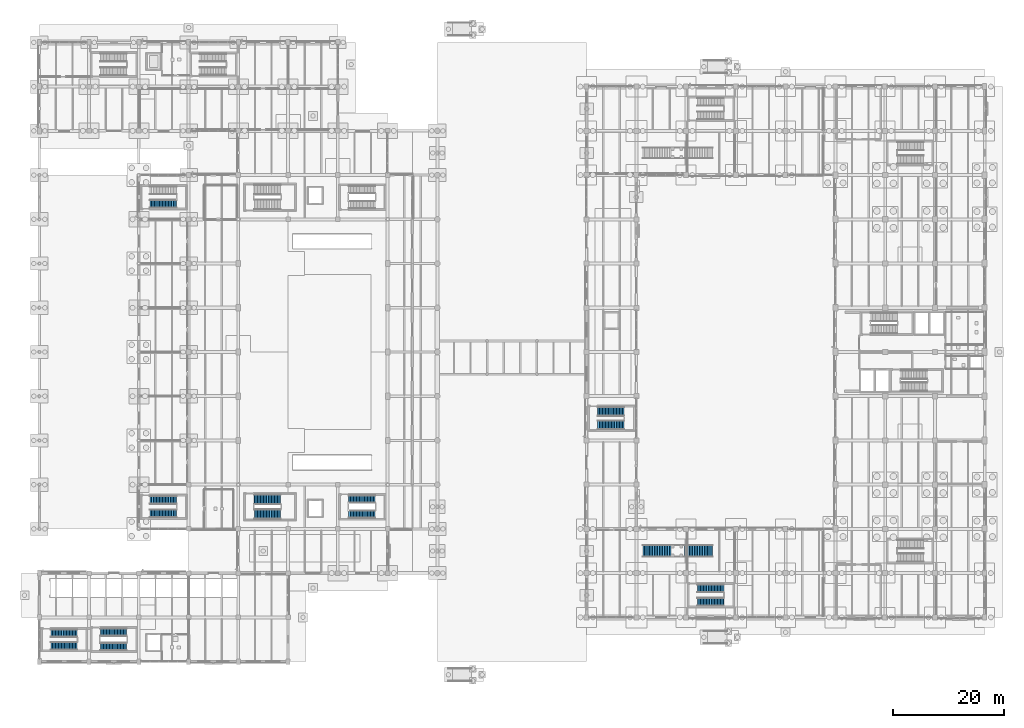
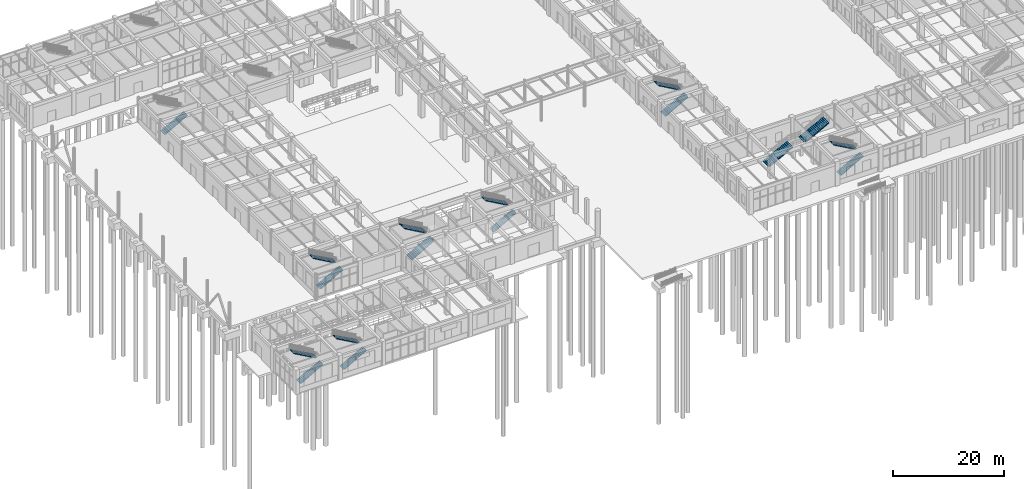
# One storey, part 101 of 121: 17 stair flights, 9 elements without a shape of their own.
"""IFC4 building model written with IfcOpenShell, lengths in metres."""

from ifc_helpers import new_model, si_unit, derived_unit, direction, frame, origin, place, context, subcontext, project, spatial, polyline, outline, extrude, material, type_object, element, aggregate, save


model = new_model("IFC4")

# Units and contexts
model_context = context("Model", 3, precision=1e-05, world=origin(), true_north=direction((0.0, 1.0)))
body_context = subcontext(model_context, "Body", "Model", "MODEL_VIEW")
ifc_project = project(units=[si_unit("LENGTHUNIT", "METRE"), si_unit("AREAUNIT", "SQUARE_METRE"), si_unit("VOLUMEUNIT", "CUBIC_METRE"), si_unit("PLANEANGLEUNIT", "RADIAN"), si_unit("MASSUNIT", "GRAM", prefix="KILO"), derived_unit("THERMALTRANSMITTANCEUNIT", [(si_unit("MASSUNIT", "GRAM", prefix="KILO"), 1), (si_unit("TIMEUNIT", "SECOND"), -3), (si_unit("THERMODYNAMICTEMPERATUREUNIT", "KELVIN"), -1)])], contexts=[model_context])

# Site, building, storey
site_placement = place(None, origin())
site = spatial("IfcSite", under=ifc_project, at=site_placement, CompositionType="ELEMENT")
building_placement = place(site_placement, origin())
building = spatial("IfcBuilding", under=site, at=building_placement, Name="Zhenchuan Archway Interchange", CompositionType="ELEMENT")
storey_placement = place(building_placement, origin())
storey = spatial("IfcBuildingStorey", under=building, at=storey_placement, Name="L00", CompositionType="ELEMENT", Elevation=0.0)

# Stair, stair flights
ifc_material = material(Name="Concrete C35", Category="concrete")
stair_type_1 = type_object("IfcStairType", Name="STR_HALF_1400", PredefinedType="HALF_TURN_STAIR", material=ifc_material)
stair_1_placement = place(storey_placement, origin())
stair_1 = element("IfcStair", 1, at=stair_1_placement, inside=storey, type_object=stair_type_1, Name="Stair ST-M3 (L00)", PredefinedType="HALF_TURN_STAIR")
stair_flight_type_1 = type_object("IfcStairFlightType", Name="SFL_1400", PredefinedType="STRAIGHT", material=ifc_material)
stair_flight_1_placement = place(storey_placement, frame((55.96435546875, 26.614990234375, 0.0), z_axis=(0.0, 0.0, 1.0), x_axis=(1.0, 0.0, 0.0)))
stair_flight_1 = element("IfcStairFlight", 2, at=stair_flight_1_placement, type_object=stair_flight_type_1, Name="Stair ST-M3 lower flight (L00)", NumberOfRisers=18, NumberOfTreads=17, PredefinedType="STRAIGHT", RiserHeight=0.15, TreadLength=0.28, context=body_context, shape_type="SweptSolid", body=[
    extrude(outline(polyline([(0.0, 0.0), (0.0, 0.14990234375), (0.280029296875, 0.14990234375), (0.280029296875, 0.300048828125), (0.56005859375, 0.300048828125), (0.56005859375, 0.449951171875), (0.840087890625, 0.449951171875), (0.840087890625, 0.60009765625), (1.1201171875, 0.60009765625), (1.1201171875, 0.75), (1.39990234375, 0.75), (1.39990234375, 0.89990234375), (1.679931640625, 0.89990234375), (1.679931640625, 1.050048828125), (1.9599609375, 1.050048828125), (1.9599609375, 1.199951171875), (2.239990234375, 1.199951171875), (2.239990234375, 1.35009765625), (2.52001953125, 1.35009765625), (2.52001953125, 1.5), (2.800048828125, 1.5), (2.800048828125, 1.64990234375), (3.080078125, 1.64990234375), (3.080078125, 1.800048828125), (3.360107421875, 1.800048828125), (3.360107421875, 1.949951171875), (3.639892578125, 1.949951171875), (3.639892578125, 2.10009765625), (3.919921875, 2.10009765625), (3.919921875, 2.25), (4.199951171875, 2.25), (4.199951171875, 2.39990234375), (4.47998046875, 2.39990234375), (4.47998046875, 2.550048828125), (4.760009765625, 2.550048828125), (4.760009765625, 2.699951171875), (4.78125, 2.699951171875), (4.78125, 2.495849609375), (0.381103515625, 0.0), (0.0, 0.0)])), frame((0.0, 0.699951171875, 0.0), z_axis=(0.0, -1.0, 0.0), x_axis=(1.0, 0.0, 0.0)), (0.0, 0.0, 1.0), 1.39990234375),
])
stair_flight_2_placement = place(storey_placement, frame((60.74560546875, 29.385009765625, 2.699951171875), z_axis=(0.0, 0.0, 1.0), x_axis=(-1.0, 0.0, 0.0)))
stair_flight_2 = element("IfcStairFlight", 3, at=stair_flight_2_placement, type_object=stair_flight_type_1, Name="Stair ST-M3 upper flight (L00)", NumberOfRisers=18, NumberOfTreads=17, PredefinedType="STRAIGHT", RiserHeight=0.15, TreadLength=0.28, context=body_context, shape_type="SweptSolid", body=[
    extrude(outline(polyline([(0.0, 0.0), (0.0, 0.14990234375), (0.280029296875, 0.14990234375), (0.280029296875, 0.300048828125), (0.56005859375, 0.300048828125), (0.56005859375, 0.449951171875), (0.840087890625, 0.449951171875), (0.840087890625, 0.60009765625), (1.1201171875, 0.60009765625), (1.1201171875, 0.75), (1.39990234375, 0.75), (1.39990234375, 0.89990234375), (1.679931640625, 0.89990234375), (1.679931640625, 1.050048828125), (1.9599609375, 1.050048828125), (1.9599609375, 1.199951171875), (2.239990234375, 1.199951171875), (2.239990234375, 1.35009765625), (2.52001953125, 1.35009765625), (2.52001953125, 1.5), (2.800048828125, 1.5), (2.800048828125, 1.64990234375), (3.080078125, 1.64990234375), (3.080078125, 1.800048828125), (3.360107421875, 1.800048828125), (3.360107421875, 1.949951171875), (3.639892578125, 1.949951171875), (3.639892578125, 2.10009765625), (3.919921875, 2.10009765625), (3.919921875, 2.25), (4.199951171875, 2.25), (4.199951171875, 2.39990234375), (4.47998046875, 2.39990234375), (4.47998046875, 2.550048828125), (4.760009765625, 2.550048828125), (4.760009765625, 2.699951171875), (4.78125, 2.699951171875), (4.78125, 2.495849609375), (0.381103515625, 0.0), (0.0, 0.0)])), frame((0.0, 0.699951171875, 0.0), z_axis=(0.0, -1.0, 0.0), x_axis=(1.0, 0.0, 0.0)), (0.0, 0.0, 1.0), 1.39990234375),
])
aggregate(stair_1, [stair_flight_1, stair_flight_2])

stair_2_placement = place(storey_placement, origin())
stair_2 = element("IfcStair", 4, at=stair_2_placement, inside=storey, type_object=stair_type_1, Name="Stair ST-C1 (L00)", PredefinedType="HALF_TURN_STAIR")
stair_flight_3_placement = place(storey_placement, frame((11.0244140625, 2.715087890625, 0.0), z_axis=(0.0, 0.0, 1.0), x_axis=(1.0, 0.0, 0.0)))
stair_flight_3 = element("IfcStairFlight", 5, at=stair_flight_3_placement, type_object=stair_flight_type_1, Name="Stair ST-C1 lower flight (L00)", NumberOfRisers=18, NumberOfTreads=17, PredefinedType="STRAIGHT", RiserHeight=0.15, TreadLength=0.28, context=body_context, shape_type="SweptSolid", body=[
    extrude(outline(polyline([(0.0, 0.0), (0.0, 0.14990234375), (0.280029296875, 0.14990234375), (0.280029296875, 0.300048828125), (0.56005859375, 0.300048828125), (0.56005859375, 0.449951171875), (0.840087890625, 0.449951171875), (0.840087890625, 0.60009765625), (1.1201171875, 0.60009765625), (1.1201171875, 0.75), (1.39990234375, 0.75), (1.39990234375, 0.89990234375), (1.679931640625, 0.89990234375), (1.679931640625, 1.050048828125), (1.9599609375, 1.050048828125), (1.9599609375, 1.199951171875), (2.239990234375, 1.199951171875), (2.239990234375, 1.35009765625), (2.52001953125, 1.35009765625), (2.52001953125, 1.5), (2.800048828125, 1.5), (2.800048828125, 1.64990234375), (3.080078125, 1.64990234375), (3.080078125, 1.800048828125), (3.360107421875, 1.800048828125), (3.360107421875, 1.949951171875), (3.639892578125, 1.949951171875), (3.639892578125, 2.10009765625), (3.919921875, 2.10009765625), (3.919921875, 2.25), (4.199951171875, 2.25), (4.199951171875, 2.39990234375), (4.47998046875, 2.39990234375), (4.47998046875, 2.550048828125), (4.760009765625, 2.550048828125), (4.760009765625, 2.699951171875), (4.78125, 2.699951171875), (4.78125, 2.495849609375), (0.381103515625, 0.0), (0.0, 0.0)])), frame((0.0, 0.699951171875, 0.0), z_axis=(0.0, -1.0, 0.0), x_axis=(1.0, 0.0, 0.0)), (0.0, 0.0, 1.0), 1.39990234375),
])
stair_flight_4_placement = place(storey_placement, frame((15.8056640625, 5.284912109375, 2.699951171875), z_axis=(0.0, 0.0, 1.0), x_axis=(-1.0, 0.0, 0.0)))
stair_flight_4 = element("IfcStairFlight", 6, at=stair_flight_4_placement, type_object=stair_flight_type_1, Name="Stair ST-C1 upper flight (L00)", NumberOfRisers=18, NumberOfTreads=17, PredefinedType="STRAIGHT", RiserHeight=0.15, TreadLength=0.28, context=body_context, shape_type="SweptSolid", body=[
    extrude(outline(polyline([(0.0, 0.0), (0.0, 0.14990234375), (0.280029296875, 0.14990234375), (0.280029296875, 0.300048828125), (0.56005859375, 0.300048828125), (0.56005859375, 0.449951171875), (0.840087890625, 0.449951171875), (0.840087890625, 0.60009765625), (1.1201171875, 0.60009765625), (1.1201171875, 0.75), (1.39990234375, 0.75), (1.39990234375, 0.89990234375), (1.679931640625, 0.89990234375), (1.679931640625, 1.050048828125), (1.9599609375, 1.050048828125), (1.9599609375, 1.199951171875), (2.239990234375, 1.199951171875), (2.239990234375, 1.35009765625), (2.52001953125, 1.35009765625), (2.52001953125, 1.5), (2.800048828125, 1.5), (2.800048828125, 1.64990234375), (3.080078125, 1.64990234375), (3.080078125, 1.800048828125), (3.360107421875, 1.800048828125), (3.360107421875, 1.949951171875), (3.639892578125, 1.949951171875), (3.639892578125, 2.10009765625), (3.919921875, 2.10009765625), (3.919921875, 2.25), (4.199951171875, 2.25), (4.199951171875, 2.39990234375), (4.47998046875, 2.39990234375), (4.47998046875, 2.550048828125), (4.760009765625, 2.550048828125), (4.760009765625, 2.699951171875), (4.78125, 2.699951171875), (4.78125, 2.495849609375), (0.381103515625, 0.0), (0.0, 0.0)])), frame((0.0, 0.699951171875, 0.0), z_axis=(0.0, -1.0, 0.0), x_axis=(1.0, 0.0, 0.0)), (0.0, 0.0, 1.0), 1.39990234375),
])
aggregate(stair_2, [stair_flight_3, stair_flight_4])

stair_3_placement = place(storey_placement, origin())
stair_3 = element("IfcStair", 7, at=stair_3_placement, inside=storey, type_object=stair_type_1, Name="Stair ST-C2 (L00)", PredefinedType="HALF_TURN_STAIR")
stair_flight_5_placement = place(storey_placement, frame((2.064453125, 2.81494140625, 0.0), z_axis=(0.0, 0.0, 1.0), x_axis=(1.0, 0.0, 0.0)))
stair_flight_5 = element("IfcStairFlight", 8, at=stair_flight_5_placement, type_object=stair_flight_type_1, Name="Stair ST-C2 lower flight (L00)", NumberOfRisers=18, NumberOfTreads=17, PredefinedType="STRAIGHT", RiserHeight=0.15, TreadLength=0.28, context=body_context, shape_type="SweptSolid", body=[
    extrude(outline(polyline([(0.0, 0.0), (0.0, 0.14990234375), (0.280029296875, 0.14990234375), (0.280029296875, 0.300048828125), (0.56005859375, 0.300048828125), (0.56005859375, 0.449951171875), (0.840087890625, 0.449951171875), (0.840087890625, 0.60009765625), (1.1201171875, 0.60009765625), (1.1201171875, 0.75), (1.39990234375, 0.75), (1.39990234375, 0.89990234375), (1.679931640625, 0.89990234375), (1.679931640625, 1.050048828125), (1.9599609375, 1.050048828125), (1.9599609375, 1.199951171875), (2.239990234375, 1.199951171875), (2.239990234375, 1.35009765625), (2.52001953125, 1.35009765625), (2.52001953125, 1.5), (2.800048828125, 1.5), (2.800048828125, 1.64990234375), (3.080078125, 1.64990234375), (3.080078125, 1.800048828125), (3.360107421875, 1.800048828125), (3.360107421875, 1.949951171875), (3.639892578125, 1.949951171875), (3.639892578125, 2.10009765625), (3.919921875, 2.10009765625), (3.919921875, 2.25), (4.199951171875, 2.25), (4.199951171875, 2.39990234375), (4.47998046875, 2.39990234375), (4.47998046875, 2.550048828125), (4.760009765625, 2.550048828125), (4.760009765625, 2.699951171875), (4.78125, 2.699951171875), (4.78125, 2.495849609375), (0.381103515625, 0.0), (0.0, 0.0)])), frame((0.0, 0.699951171875, 0.0), z_axis=(0.0, -1.0, 0.0), x_axis=(1.0, 0.0, 0.0)), (0.0, 0.0, 1.0), 1.39990234375),
])
stair_flight_6_placement = place(storey_placement, frame((6.845703125, 5.0849609375, 2.699951171875), z_axis=(0.0, 0.0, 1.0), x_axis=(-1.0, 0.0, 0.0)))
stair_flight_6 = element("IfcStairFlight", 9, at=stair_flight_6_placement, type_object=stair_flight_type_1, Name="Stair ST-C2 upper flight (L00)", NumberOfRisers=18, NumberOfTreads=17, PredefinedType="STRAIGHT", RiserHeight=0.15, TreadLength=0.28, context=body_context, shape_type="SweptSolid", body=[
    extrude(outline(polyline([(0.0, 0.0), (0.0, 0.14990234375), (0.280029296875, 0.14990234375), (0.280029296875, 0.300048828125), (0.56005859375, 0.300048828125), (0.56005859375, 0.449951171875), (0.840087890625, 0.449951171875), (0.840087890625, 0.60009765625), (1.1201171875, 0.60009765625), (1.1201171875, 0.75), (1.39990234375, 0.75), (1.39990234375, 0.89990234375), (1.679931640625, 0.89990234375), (1.679931640625, 1.050048828125), (1.9599609375, 1.050048828125), (1.9599609375, 1.199951171875), (2.239990234375, 1.199951171875), (2.239990234375, 1.35009765625), (2.52001953125, 1.35009765625), (2.52001953125, 1.5), (2.800048828125, 1.5), (2.800048828125, 1.64990234375), (3.080078125, 1.64990234375), (3.080078125, 1.800048828125), (3.360107421875, 1.800048828125), (3.360107421875, 1.949951171875), (3.639892578125, 1.949951171875), (3.639892578125, 2.10009765625), (3.919921875, 2.10009765625), (3.919921875, 2.25), (4.199951171875, 2.25), (4.199951171875, 2.39990234375), (4.47998046875, 2.39990234375), (4.47998046875, 2.550048828125), (4.760009765625, 2.550048828125), (4.760009765625, 2.699951171875), (4.78125, 2.699951171875), (4.78125, 2.495849609375), (0.381103515625, 0.0), (0.0, 0.0)])), frame((0.0, 0.699951171875, 0.0), z_axis=(0.0, -1.0, 0.0), x_axis=(1.0, 0.0, 0.0)), (0.0, 0.0, 1.0), 1.39990234375),
])
aggregate(stair_3, [stair_flight_5, stair_flight_6])

stair_type_2 = type_object("IfcStairType", Name="STR_HALF_1450", PredefinedType="HALF_TURN_STAIR", material=ifc_material)
stair_4_placement = place(storey_placement, origin())
stair_4 = element("IfcStair", 10, at=stair_4_placement, inside=storey, type_object=stair_type_2, Name="Stair ST-B1 (L00)", PredefinedType="HALF_TURN_STAIR")
stair_flight_type_2 = type_object("IfcStairFlightType", Name="SFL_1450", PredefinedType="STRAIGHT", material=ifc_material)
stair_flight_7_placement = place(storey_placement, frame((20.0244140625, 26.7900390625, 0.0), z_axis=(0.0, 0.0, 1.0), x_axis=(1.0, 0.0, 0.0)))
stair_flight_7 = element("IfcStairFlight", 11, at=stair_flight_7_placement, type_object=stair_flight_type_2, Name="Stair ST-B1 lower flight (L00)", NumberOfRisers=18, NumberOfTreads=17, PredefinedType="STRAIGHT", RiserHeight=0.15, TreadLength=0.28, context=body_context, shape_type="SweptSolid", body=[
    extrude(outline(polyline([(0.0, 0.0), (0.0, 0.14990234375), (0.280029296875, 0.14990234375), (0.280029296875, 0.300048828125), (0.56005859375, 0.300048828125), (0.56005859375, 0.449951171875), (0.840087890625, 0.449951171875), (0.840087890625, 0.60009765625), (1.1201171875, 0.60009765625), (1.1201171875, 0.75), (1.39990234375, 0.75), (1.39990234375, 0.89990234375), (1.679931640625, 0.89990234375), (1.679931640625, 1.050048828125), (1.9599609375, 1.050048828125), (1.9599609375, 1.199951171875), (2.239990234375, 1.199951171875), (2.239990234375, 1.35009765625), (2.52001953125, 1.35009765625), (2.52001953125, 1.5), (2.800048828125, 1.5), (2.800048828125, 1.64990234375), (3.080078125, 1.64990234375), (3.080078125, 1.800048828125), (3.360107421875, 1.800048828125), (3.360107421875, 1.949951171875), (3.639892578125, 1.949951171875), (3.639892578125, 2.10009765625), (3.919921875, 2.10009765625), (3.919921875, 2.25), (4.199951171875, 2.25), (4.199951171875, 2.39990234375), (4.47998046875, 2.39990234375), (4.47998046875, 2.550048828125), (4.760009765625, 2.550048828125), (4.760009765625, 2.699951171875), (4.78125, 2.699951171875), (4.78125, 2.495849609375), (0.381103515625, 0.0), (0.0, 0.0)])), frame((0.0, 0.72509765625, 0.0), z_axis=(0.0, -1.0, 0.0), x_axis=(1.0, 0.0, 0.0)), (0.0, 0.0, 1.0), 1.449951171875),
])
stair_flight_8_placement = place(storey_placement, frame((24.8056640625, 29.2099609375, 2.699951171875), z_axis=(0.0, 0.0, 1.0), x_axis=(-1.0, 0.0, 0.0)))
stair_flight_8 = element("IfcStairFlight", 12, at=stair_flight_8_placement, type_object=stair_flight_type_2, Name="Stair ST-B1 upper flight (L00)", NumberOfRisers=18, NumberOfTreads=17, PredefinedType="STRAIGHT", RiserHeight=0.15, TreadLength=0.28, context=body_context, shape_type="SweptSolid", body=[
    extrude(outline(polyline([(0.0, 0.0), (0.0, 0.14990234375), (0.280029296875, 0.14990234375), (0.280029296875, 0.300048828125), (0.56005859375, 0.300048828125), (0.56005859375, 0.449951171875), (0.840087890625, 0.449951171875), (0.840087890625, 0.60009765625), (1.1201171875, 0.60009765625), (1.1201171875, 0.75), (1.39990234375, 0.75), (1.39990234375, 0.89990234375), (1.679931640625, 0.89990234375), (1.679931640625, 1.050048828125), (1.9599609375, 1.050048828125), (1.9599609375, 1.199951171875), (2.239990234375, 1.199951171875), (2.239990234375, 1.35009765625), (2.52001953125, 1.35009765625), (2.52001953125, 1.5), (2.800048828125, 1.5), (2.800048828125, 1.64990234375), (3.080078125, 1.64990234375), (3.080078125, 1.800048828125), (3.360107421875, 1.800048828125), (3.360107421875, 1.949951171875), (3.639892578125, 1.949951171875), (3.639892578125, 2.10009765625), (3.919921875, 2.10009765625), (3.919921875, 2.25), (4.199951171875, 2.25), (4.199951171875, 2.39990234375), (4.47998046875, 2.39990234375), (4.47998046875, 2.550048828125), (4.760009765625, 2.550048828125), (4.760009765625, 2.699951171875), (4.78125, 2.699951171875), (4.78125, 2.495849609375), (0.381103515625, 0.0), (0.0, 0.0)])), frame((0.0, 0.72509765625, 0.0), z_axis=(0.0, -1.0, 0.0), x_axis=(1.0, 0.0, 0.0)), (0.0, 0.0, 1.0), 1.449951171875),
])
aggregate(stair_4, [stair_flight_7, stair_flight_8])

# Stair, stair flight
stair_5_placement = place(storey_placement, origin())
stair_5 = element("IfcStair", 13, at=stair_5_placement, inside=storey, type_object=stair_type_2, Name="Stair ST-B2 (L00)", PredefinedType="HALF_TURN_STAIR")
stair_flight_9_placement = place(storey_placement, frame((20.0244140625, 82.7900390625, 0.0), z_axis=(0.0, 0.0, 1.0), x_axis=(1.0, 0.0, 0.0)))
stair_flight_9 = element("IfcStairFlight", 14, at=stair_flight_9_placement, type_object=stair_flight_type_2, Name="Stair ST-B2 lower flight (L00)", NumberOfRisers=18, NumberOfTreads=17, PredefinedType="STRAIGHT", RiserHeight=0.15, TreadLength=0.28, context=body_context, shape_type="SweptSolid", body=[
    extrude(outline(polyline([(0.0, 0.0), (0.0, 0.14990234375), (0.280029296875, 0.14990234375), (0.280029296875, 0.300048828125), (0.56005859375, 0.300048828125), (0.56005859375, 0.449951171875), (0.840087890625, 0.449951171875), (0.840087890625, 0.60009765625), (1.1201171875, 0.60009765625), (1.1201171875, 0.75), (1.39990234375, 0.75), (1.39990234375, 0.89990234375), (1.679931640625, 0.89990234375), (1.679931640625, 1.050048828125), (1.9599609375, 1.050048828125), (1.9599609375, 1.199951171875), (2.239990234375, 1.199951171875), (2.239990234375, 1.35009765625), (2.52001953125, 1.35009765625), (2.52001953125, 1.5), (2.800048828125, 1.5), (2.800048828125, 1.64990234375), (3.080078125, 1.64990234375), (3.080078125, 1.800048828125), (3.360107421875, 1.800048828125), (3.360107421875, 1.949951171875), (3.639892578125, 1.949951171875), (3.639892578125, 2.10009765625), (3.919921875, 2.10009765625), (3.919921875, 2.25), (4.199951171875, 2.25), (4.199951171875, 2.39990234375), (4.47998046875, 2.39990234375), (4.47998046875, 2.550048828125), (4.760009765625, 2.550048828125), (4.760009765625, 2.699951171875), (4.78125, 2.699951171875), (4.78125, 2.495849609375), (0.381103515625, 0.0), (0.0, 0.0)])), frame((0.0, 0.72509765625, 0.0), z_axis=(0.0, -1.0, 0.0), x_axis=(1.0, 0.0, 0.0)), (0.0, 0.0, 1.0), 1.449951171875),
])
aggregate(stair_5, [stair_flight_9])

# Stair, stair flights
stair_6_placement = place(storey_placement, origin())
stair_6 = element("IfcStair", 15, at=stair_6_placement, inside=storey, type_object=stair_type_2, Name="Stair ST-O5 (L00)", PredefinedType="HALF_TURN_STAIR")
stair_flight_10_placement = place(storey_placement, frame((119.0244140625, 10.7900390625, 0.0), z_axis=(0.0, 0.0, 1.0), x_axis=(1.0, 0.0, 0.0)))
stair_flight_10 = element("IfcStairFlight", 16, at=stair_flight_10_placement, type_object=stair_flight_type_2, Name="Stair ST-O5 lower flight (L00)", NumberOfRisers=18, NumberOfTreads=17, PredefinedType="STRAIGHT", RiserHeight=0.15, TreadLength=0.28, context=body_context, shape_type="SweptSolid", body=[
    extrude(outline(polyline([(0.0, 0.0), (0.0, 0.14990234375), (0.280029296875, 0.14990234375), (0.280029296875, 0.300048828125), (0.56005859375, 0.300048828125), (0.56005859375, 0.449951171875), (0.840087890625, 0.449951171875), (0.840087890625, 0.60009765625), (1.1201171875, 0.60009765625), (1.1201171875, 0.75), (1.39990234375, 0.75), (1.39990234375, 0.89990234375), (1.679931640625, 0.89990234375), (1.679931640625, 1.050048828125), (1.9599609375, 1.050048828125), (1.9599609375, 1.199951171875), (2.239990234375, 1.199951171875), (2.239990234375, 1.35009765625), (2.52001953125, 1.35009765625), (2.52001953125, 1.5), (2.800048828125, 1.5), (2.800048828125, 1.64990234375), (3.080078125, 1.64990234375), (3.080078125, 1.800048828125), (3.360107421875, 1.800048828125), (3.360107421875, 1.949951171875), (3.639892578125, 1.949951171875), (3.639892578125, 2.10009765625), (3.919921875, 2.10009765625), (3.919921875, 2.25), (4.199951171875, 2.25), (4.199951171875, 2.39990234375), (4.47998046875, 2.39990234375), (4.47998046875, 2.550048828125), (4.760009765625, 2.550048828125), (4.760009765625, 2.699951171875), (4.78125, 2.699951171875), (4.78125, 2.495849609375), (0.381103515625, 0.0), (0.0, 0.0)])), frame((0.0, 0.72509765625, 0.0), z_axis=(0.0, -1.0, 0.0), x_axis=(1.0, 0.0, 0.0)), (0.0, 0.0, 1.0), 1.449951171875),
])
stair_flight_11_placement = place(storey_placement, frame((123.8056640625, 13.2099609375, 2.699951171875), z_axis=(0.0, 0.0, 1.0), x_axis=(-1.0, 0.0, 0.0)))
stair_flight_11 = element("IfcStairFlight", 17, at=stair_flight_11_placement, type_object=stair_flight_type_2, Name="Stair ST-O5 upper flight (L00)", NumberOfRisers=18, NumberOfTreads=17, PredefinedType="STRAIGHT", RiserHeight=0.15, TreadLength=0.28, context=body_context, shape_type="SweptSolid", body=[
    extrude(outline(polyline([(0.0, 0.0), (0.0, 0.14990234375), (0.280029296875, 0.14990234375), (0.280029296875, 0.300048828125), (0.56005859375, 0.300048828125), (0.56005859375, 0.449951171875), (0.840087890625, 0.449951171875), (0.840087890625, 0.60009765625), (1.1201171875, 0.60009765625), (1.1201171875, 0.75), (1.39990234375, 0.75), (1.39990234375, 0.89990234375), (1.679931640625, 0.89990234375), (1.679931640625, 1.050048828125), (1.9599609375, 1.050048828125), (1.9599609375, 1.199951171875), (2.239990234375, 1.199951171875), (2.239990234375, 1.35009765625), (2.52001953125, 1.35009765625), (2.52001953125, 1.5), (2.800048828125, 1.5), (2.800048828125, 1.64990234375), (3.080078125, 1.64990234375), (3.080078125, 1.800048828125), (3.360107421875, 1.800048828125), (3.360107421875, 1.949951171875), (3.639892578125, 1.949951171875), (3.639892578125, 2.10009765625), (3.919921875, 2.10009765625), (3.919921875, 2.25), (4.199951171875, 2.25), (4.199951171875, 2.39990234375), (4.47998046875, 2.39990234375), (4.47998046875, 2.550048828125), (4.760009765625, 2.550048828125), (4.760009765625, 2.699951171875), (4.78125, 2.699951171875), (4.78125, 2.495849609375), (0.381103515625, 0.0), (0.0, 0.0)])), frame((0.0, 0.72509765625, 0.0), z_axis=(0.0, -1.0, 0.0), x_axis=(1.0, 0.0, 0.0)), (0.0, 0.0, 1.0), 1.449951171875),
])
aggregate(stair_6, [stair_flight_10, stair_flight_11])

stair_type_3 = type_object("IfcStairType", Name="STR_HALF_1650", PredefinedType="HALF_TURN_STAIR", material=ifc_material)
stair_7_placement = place(storey_placement, origin())
stair_7 = element("IfcStair", 18, at=stair_7_placement, inside=storey, type_object=stair_type_3, Name="Stair ST-BR (L00)", PredefinedType="HALF_TURN_STAIR")
stair_flight_type_3 = type_object("IfcStairFlightType", Name="SFL_1650", PredefinedType="STRAIGHT", material=ifc_material)
stair_flight_12_placement = place(storey_placement, frame((101.00439453125, 42.7900390625, 0.0), z_axis=(0.0, 0.0, 1.0), x_axis=(1.0, 0.0, 0.0)))
stair_flight_12 = element("IfcStairFlight", 19, at=stair_flight_12_placement, type_object=stair_flight_type_3, Name="Stair ST-BR lower flight (L00)", NumberOfRisers=18, NumberOfTreads=17, PredefinedType="STRAIGHT", RiserHeight=0.15, TreadLength=0.28, context=body_context, shape_type="SweptSolid", body=[
    extrude(outline(polyline([(0.0, 0.0), (0.0, 0.14990234375), (0.280029296875, 0.14990234375), (0.280029296875, 0.300048828125), (0.56005859375, 0.300048828125), (0.56005859375, 0.449951171875), (0.840087890625, 0.449951171875), (0.840087890625, 0.60009765625), (1.1201171875, 0.60009765625), (1.1201171875, 0.75), (1.39990234375, 0.75), (1.39990234375, 0.89990234375), (1.679931640625, 0.89990234375), (1.679931640625, 1.050048828125), (1.9599609375, 1.050048828125), (1.9599609375, 1.199951171875), (2.239990234375, 1.199951171875), (2.239990234375, 1.35009765625), (2.52001953125, 1.35009765625), (2.52001953125, 1.5), (2.800048828125, 1.5), (2.800048828125, 1.64990234375), (3.080078125, 1.64990234375), (3.080078125, 1.800048828125), (3.360107421875, 1.800048828125), (3.360107421875, 1.949951171875), (3.639892578125, 1.949951171875), (3.639892578125, 2.10009765625), (3.919921875, 2.10009765625), (3.919921875, 2.25), (4.199951171875, 2.25), (4.199951171875, 2.39990234375), (4.47998046875, 2.39990234375), (4.47998046875, 2.550048828125), (4.760009765625, 2.550048828125), (4.760009765625, 2.699951171875), (4.78125, 2.699951171875), (4.78125, 2.495849609375), (0.381103515625, 0.0), (0.0, 0.0)])), frame((0.0, 0.824951171875, 0.0), z_axis=(0.0, -1.0, 0.0), x_axis=(1.0, 0.0, 0.0)), (0.0, 0.0, 1.0), 1.64990234375),
])
stair_flight_13_placement = place(storey_placement, frame((105.78564453125, 45.2099609375, 2.699951171875), z_axis=(0.0, 0.0, 1.0), x_axis=(-1.0, 0.0, 0.0)))
stair_flight_13 = element("IfcStairFlight", 20, at=stair_flight_13_placement, type_object=stair_flight_type_3, Name="Stair ST-BR upper flight (L00)", NumberOfRisers=18, NumberOfTreads=17, PredefinedType="STRAIGHT", RiserHeight=0.15, TreadLength=0.28, context=body_context, shape_type="SweptSolid", body=[
    extrude(outline(polyline([(0.0, 0.0), (0.0, 0.14990234375), (0.280029296875, 0.14990234375), (0.280029296875, 0.300048828125), (0.56005859375, 0.300048828125), (0.56005859375, 0.449951171875), (0.840087890625, 0.449951171875), (0.840087890625, 0.60009765625), (1.1201171875, 0.60009765625), (1.1201171875, 0.75), (1.39990234375, 0.75), (1.39990234375, 0.89990234375), (1.679931640625, 0.89990234375), (1.679931640625, 1.050048828125), (1.9599609375, 1.050048828125), (1.9599609375, 1.199951171875), (2.239990234375, 1.199951171875), (2.239990234375, 1.35009765625), (2.52001953125, 1.35009765625), (2.52001953125, 1.5), (2.800048828125, 1.5), (2.800048828125, 1.64990234375), (3.080078125, 1.64990234375), (3.080078125, 1.800048828125), (3.360107421875, 1.800048828125), (3.360107421875, 1.949951171875), (3.639892578125, 1.949951171875), (3.639892578125, 2.10009765625), (3.919921875, 2.10009765625), (3.919921875, 2.25), (4.199951171875, 2.25), (4.199951171875, 2.39990234375), (4.47998046875, 2.39990234375), (4.47998046875, 2.550048828125), (4.760009765625, 2.550048828125), (4.760009765625, 2.699951171875), (4.78125, 2.699951171875), (4.78125, 2.495849609375), (0.381103515625, 0.0), (0.0, 0.0)])), frame((0.0, 0.824951171875, 0.0), z_axis=(0.0, -1.0, 0.0), x_axis=(1.0, 0.0, 0.0)), (0.0, 0.0, 1.0), 1.64990234375),
])
aggregate(stair_7, [stair_flight_12, stair_flight_13])

stair_type_4 = type_object("IfcStairType", Name="STR_HALF_1800", PredefinedType="HALF_TURN_STAIR", material=ifc_material)
stair_8_placement = place(storey_placement, origin())
stair_8 = element("IfcStair", 21, at=stair_8_placement, inside=storey, type_object=stair_type_4, Name="Stair ST-M1 (L00)", PredefinedType="HALF_TURN_STAIR")
stair_flight_type_4 = type_object("IfcStairFlightType", Name="SFL_1800", PredefinedType="STRAIGHT", material=ifc_material)
stair_flight_14_placement = place(storey_placement, frame((38.87451171875, 26.6650390625, 0.0), z_axis=(0.0, 0.0, 1.0), x_axis=(1.0, 0.0, 0.0)))
stair_flight_14 = element("IfcStairFlight", 22, at=stair_flight_14_placement, type_object=stair_flight_type_4, Name="Stair ST-M1 lower flight (L00)", NumberOfRisers=18, NumberOfTreads=17, PredefinedType="STRAIGHT", RiserHeight=0.15, TreadLength=0.28, context=body_context, shape_type="SweptSolid", body=[
    extrude(outline(polyline([(0.0, 0.0), (0.0, 0.14990234375), (0.280029296875, 0.14990234375), (0.280029296875, 0.300048828125), (0.56005859375, 0.300048828125), (0.56005859375, 0.449951171875), (0.840087890625, 0.449951171875), (0.840087890625, 0.60009765625), (1.1201171875, 0.60009765625), (1.1201171875, 0.75), (1.39990234375, 0.75), (1.39990234375, 0.89990234375), (1.679931640625, 0.89990234375), (1.679931640625, 1.050048828125), (1.9599609375, 1.050048828125), (1.9599609375, 1.199951171875), (2.239990234375, 1.199951171875), (2.239990234375, 1.35009765625), (2.52001953125, 1.35009765625), (2.52001953125, 1.5), (2.800048828125, 1.5), (2.800048828125, 1.64990234375), (3.080078125, 1.64990234375), (3.080078125, 1.800048828125), (3.360107421875, 1.800048828125), (3.360107421875, 1.949951171875), (3.639892578125, 1.949951171875), (3.639892578125, 2.10009765625), (3.919921875, 2.10009765625), (3.919921875, 2.25), (4.199951171875, 2.25), (4.199951171875, 2.39990234375), (4.47998046875, 2.39990234375), (4.47998046875, 2.550048828125), (4.760009765625, 2.550048828125), (4.760009765625, 2.699951171875), (4.78125, 2.699951171875), (4.78125, 2.495849609375), (0.381103515625, 0.0), (0.0, 0.0)])), frame((0.0, 0.89990234375, 0.0), z_axis=(0.0, -1.0, 0.0), x_axis=(1.0, 0.0, 0.0)), (0.0, 0.0, 1.0), 1.800048828125),
])
stair_flight_15_placement = place(storey_placement, frame((43.655517578125, 29.3349609375, 2.699951171875), z_axis=(0.0, 0.0, 1.0), x_axis=(-1.0, 0.0, 0.0)))
stair_flight_15 = element("IfcStairFlight", 23, at=stair_flight_15_placement, type_object=stair_flight_type_4, Name="Stair ST-M1 upper flight (L00)", NumberOfRisers=18, NumberOfTreads=17, PredefinedType="STRAIGHT", RiserHeight=0.15, TreadLength=0.28, context=body_context, shape_type="SweptSolid", body=[
    extrude(outline(polyline([(0.0, 0.0), (0.0, 0.14990234375), (0.280029296875, 0.14990234375), (0.280029296875, 0.300048828125), (0.56005859375, 0.300048828125), (0.56005859375, 0.449951171875), (0.840087890625, 0.449951171875), (0.840087890625, 0.60009765625), (1.1201171875, 0.60009765625), (1.1201171875, 0.75), (1.39990234375, 0.75), (1.39990234375, 0.89990234375), (1.679931640625, 0.89990234375), (1.679931640625, 1.050048828125), (1.9599609375, 1.050048828125), (1.9599609375, 1.199951171875), (2.239990234375, 1.199951171875), (2.239990234375, 1.35009765625), (2.52001953125, 1.35009765625), (2.52001953125, 1.5), (2.800048828125, 1.5), (2.800048828125, 1.64990234375), (3.080078125, 1.64990234375), (3.080078125, 1.800048828125), (3.360107421875, 1.800048828125), (3.360107421875, 1.949951171875), (3.639892578125, 1.949951171875), (3.639892578125, 2.10009765625), (3.919921875, 2.10009765625), (3.919921875, 2.25), (4.199951171875, 2.25), (4.199951171875, 2.39990234375), (4.47998046875, 2.39990234375), (4.47998046875, 2.550048828125), (4.760009765625, 2.550048828125), (4.760009765625, 2.699951171875), (4.78125, 2.699951171875), (4.78125, 2.495849609375), (0.381103515625, 0.0), (0.0, 0.0)])), frame((0.0, 0.89990234375, 0.0), z_axis=(0.0, -1.0, 0.0), x_axis=(1.0, 0.0, 0.0)), (0.0, 0.0, 1.0), 1.800048828125),
])
aggregate(stair_8, [stair_flight_14, stair_flight_15])

stair_type_5 = type_object("IfcStairType", Name="STR_MON_2150", PredefinedType="STRAIGHT_RUN_STAIR", material=ifc_material)
stair_9_placement = place(storey_placement, origin())
stair_9 = element("IfcStair", 24, at=stair_9_placement, inside=storey, type_object=stair_type_5, Name="Monumental public stair ST-P5", PredefinedType="STRAIGHT_RUN_STAIR")
stair_flight_type_5 = type_object("IfcStairFlightType", Name="SFL_MON_2150", PredefinedType="STRAIGHT", material=ifc_material)
stair_flight_16_placement = place(storey_placement, frame((109.159912109375, 20.0, 0.0), z_axis=(0.0, 0.0, 1.0), x_axis=(1.0, 0.0, 0.0)))
stair_flight_16 = element("IfcStairFlight", 25, at=stair_flight_16_placement, type_object=stair_flight_type_5, Name="Monumental stair ST-P5 lower flight", NumberOfRisers=18, NumberOfTreads=17, PredefinedType="STRAIGHT", RiserHeight=0.15, TreadLength=0.3, context=body_context, shape_type="SweptSolid", body=[
    extrude(outline(polyline([(0.0, 0.0), (0.0, 0.14990234375), (0.300048828125, 0.14990234375), (0.300048828125, 0.300048828125), (0.60009765625, 0.300048828125), (0.60009765625, 0.449951171875), (0.89990234375, 0.449951171875), (0.89990234375, 0.60009765625), (1.199951171875, 0.60009765625), (1.199951171875, 0.75), (1.5, 0.75), (1.5, 0.89990234375), (1.800048828125, 0.89990234375), (1.800048828125, 1.050048828125), (2.10009765625, 1.050048828125), (2.10009765625, 1.199951171875), (2.39990234375, 1.199951171875), (2.39990234375, 1.35009765625), (2.699951171875, 1.35009765625), (2.699951171875, 1.5), (3.0, 1.5), (3.0, 1.64990234375), (3.300048828125, 1.64990234375), (3.300048828125, 1.800048828125), (3.60009765625, 1.800048828125), (3.60009765625, 1.949951171875), (3.89990234375, 1.949951171875), (3.89990234375, 2.10009765625), (4.199951171875, 2.10009765625), (4.199951171875, 2.25), (4.5, 2.25), (4.5, 2.39990234375), (4.800048828125, 2.39990234375), (4.800048828125, 2.550048828125), (5.10009765625, 2.550048828125), (5.10009765625, 2.699951171875), (5.121337890625, 2.699951171875), (5.121337890625, 2.4541015625), (0.491943359375, 0.0), (0.0, 0.0)])), frame((0.0, 1.074951171875, 0.0), z_axis=(0.0, -1.0, 0.0), x_axis=(1.0, 0.0, 0.0)), (0.0, 0.0, 1.0), 2.14990234375),
])
stair_flight_17_placement = place(storey_placement, frame((116.679443359375, 20.0, 2.699951171875), z_axis=(0.0, 0.0, 1.0), x_axis=(1.0, 0.0, 0.0)))
stair_flight_17 = element("IfcStairFlight", 26, at=stair_flight_17_placement, type_object=stair_flight_type_5, Name="Monumental stair ST-P5 upper flight", NumberOfRisers=18, NumberOfTreads=17, PredefinedType="STRAIGHT", RiserHeight=0.15, TreadLength=0.3, context=body_context, shape_type="SweptSolid", body=[
    extrude(outline(polyline([(0.0, 0.0), (0.0, 0.14990234375), (0.300048828125, 0.14990234375), (0.300048828125, 0.300048828125), (0.60009765625, 0.300048828125), (0.60009765625, 0.449951171875), (0.89990234375, 0.449951171875), (0.89990234375, 0.60009765625), (1.199951171875, 0.60009765625), (1.199951171875, 0.75), (1.5, 0.75), (1.5, 0.89990234375), (1.800048828125, 0.89990234375), (1.800048828125, 1.050048828125), (2.10009765625, 1.050048828125), (2.10009765625, 1.199951171875), (2.39990234375, 1.199951171875), (2.39990234375, 1.35009765625), (2.699951171875, 1.35009765625), (2.699951171875, 1.5), (3.0, 1.5), (3.0, 1.64990234375), (3.300048828125, 1.64990234375), (3.300048828125, 1.800048828125), (3.60009765625, 1.800048828125), (3.60009765625, 1.949951171875), (3.89990234375, 1.949951171875), (3.89990234375, 2.10009765625), (4.199951171875, 2.10009765625), (4.199951171875, 2.25), (4.5, 2.25), (4.5, 2.39990234375), (4.800048828125, 2.39990234375), (4.800048828125, 2.550048828125), (5.10009765625, 2.550048828125), (5.10009765625, 2.699951171875), (5.121337890625, 2.699951171875), (5.121337890625, 2.4541015625), (0.491943359375, 0.0), (0.0, 0.0)])), frame((0.0, 1.074951171875, 0.0), z_axis=(0.0, -1.0, 0.0), x_axis=(1.0, 0.0, 0.0)), (0.0, 0.0, 1.0), 2.14990234375),
])
aggregate(stair_9, [stair_flight_16, stair_flight_17])

save(model, "model.ifc")
